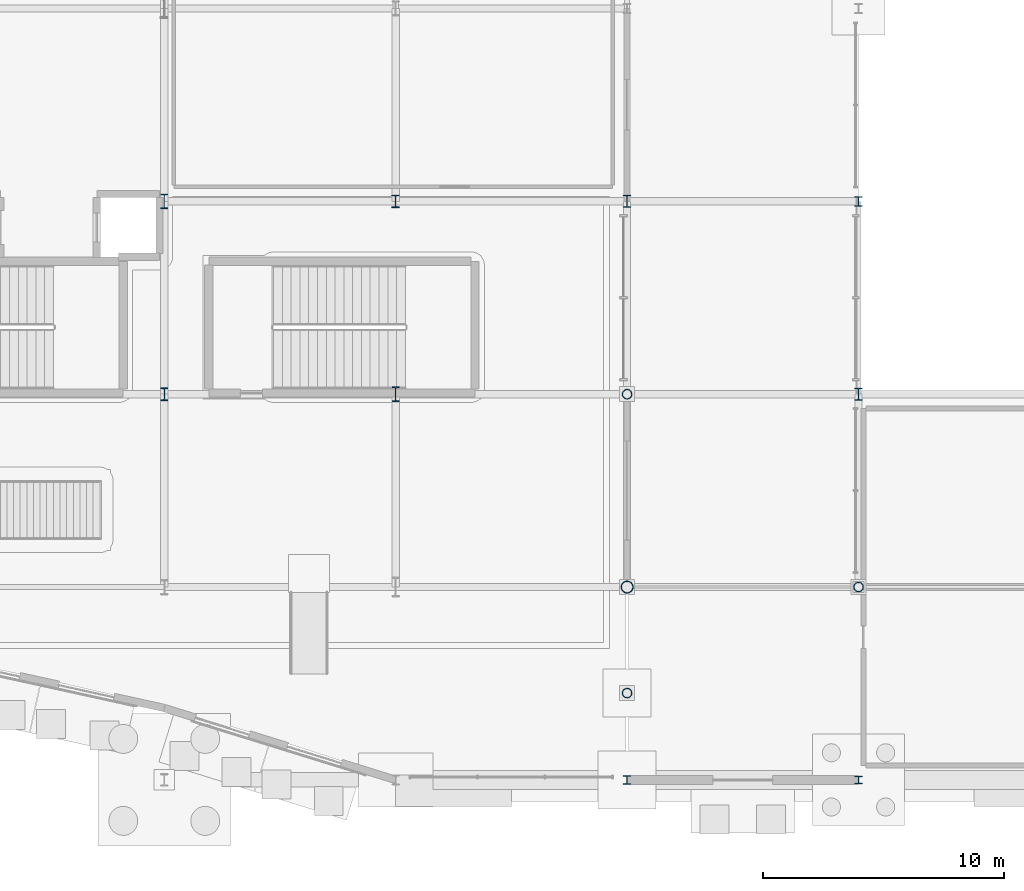
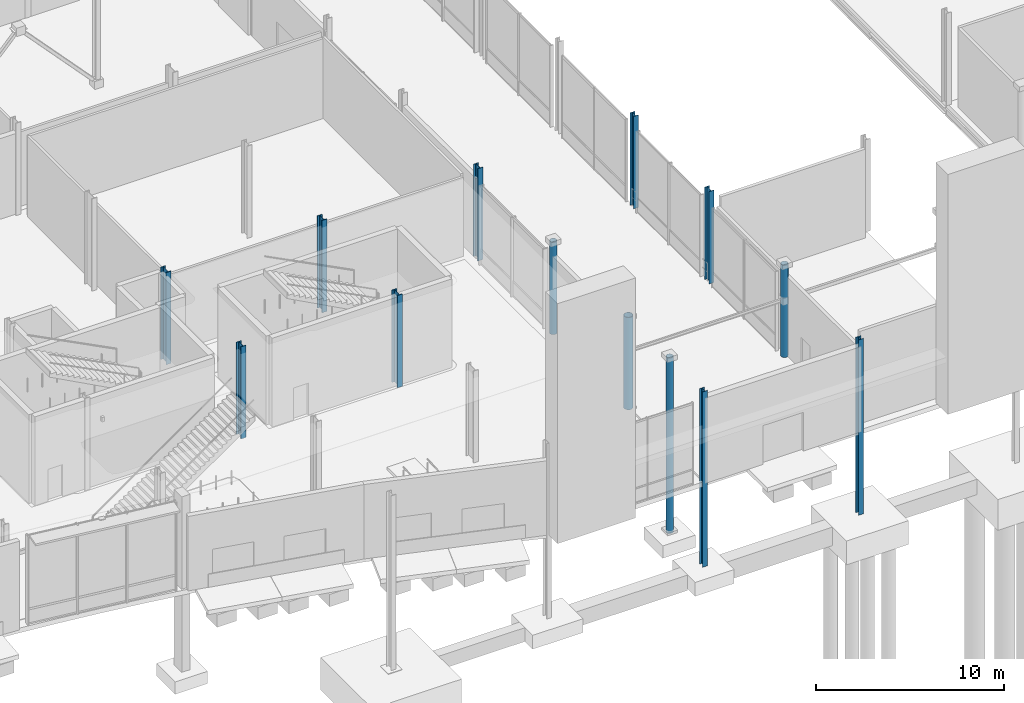
# One storey, part 11 of 124: 13 columns.
"""IFC4 building model written with IfcOpenShell, lengths in metres."""

from ifc_helpers import new_model, si_unit, direction, frame, origin, origin_2d, place, context, subcontext, project, spatial, hollow_circle, i_section, extrude, material, material_profile, profile_set, type_object, element, save


model = new_model("IFC4")

# Units and contexts
model_context = context("Model", 3, precision=1e-05, world=origin(), true_north=direction((0.0, 1.0)))
body_context = subcontext(model_context, "Body", "Model", "MODEL_VIEW")
ifc_project = project(units=[si_unit("LENGTHUNIT", "METRE"), si_unit("AREAUNIT", "SQUARE_METRE"), si_unit("VOLUMEUNIT", "CUBIC_METRE"), si_unit("PLANEANGLEUNIT", "RADIAN"), si_unit("MASSUNIT", "GRAM", prefix="KILO")], contexts=[model_context])

# Site, building, storey
site_placement = place(None, origin())
site = spatial("IfcSite", under=ifc_project, at=site_placement, CompositionType="ELEMENT")
building_placement = place(site_placement, origin())
building = spatial("IfcBuilding", under=site, at=building_placement, Name="Danafjord Basin Convention Centre", CompositionType="ELEMENT")
storey_placement = place(building_placement, origin())
storey = spatial("IfcBuildingStorey", under=building, at=storey_placement, Name="L00", CompositionType="ELEMENT", Elevation=0.0)

# Columns
ifc_material = material(Name="Steel S355", Category="steel")
ifc_material_profile_1 = material_profile(ifc_material, hollow_circle(Radius=0.203125, WallThickness=0.02001953125, at=origin_2d()), Name="CHS 406.4x20.0")
ifc_profile_set_1 = profile_set([ifc_material_profile_1], Name="Steel S355")
column_type_1 = type_object("IfcColumnType", Name="COL-C-CHS406", PredefinedType="COLUMN", material=ifc_profile_set_1)
for number, where, z_axis, x_axis, name in (
    (1, (115.199951171875, 16.0, 0.0), (0.0, 0.0, 1.0), (1.0, 0.0, 0.0), "L00 column C-CHS406 at (115.2, 16.0)"),
    (2, (124.800048828125, 8.0, 0.0), (0.0, 0.0, 1.0), (1.0, 0.0, 0.0), "L00 column C-CHS406 at (124.8, 8.0)"),
):
    element("IfcColumn", number, at=place(storey_placement, frame(where, z_axis=z_axis, x_axis=x_axis)), inside=storey, type_object=column_type_1, Name=name, PredefinedType="COLUMN", context=body_context, shape_type="SweptSolid", body=[
        extrude(hollow_circle(Radius=0.203125, WallThickness=0.02001953125, at=origin_2d()), origin(), (0.0, 0.0, 1.0), 6.0),
    ])
column_1_placement = place(storey_placement, frame((115.199951171875, 3.60009765625, -5.39990234375), z_axis=(0.0, 0.0, 1.0), x_axis=(1.0, 0.0, 0.0)))
element("IfcColumn", 3, at=column_1_placement, inside=storey, type_object=column_type_1, Name="L00 column C-CHS406 at (115.2, 3.6)", PredefinedType="COLUMN", context=body_context, shape_type="SweptSolid", body=[
    extrude(hollow_circle(Radius=0.203125, WallThickness=0.02001953125, at=origin_2d()), origin(), (0.0, 0.0, 1.0), 11.39990234375),
])
ifc_material_profile_2 = material_profile(ifc_material, hollow_circle(Radius=0.25390625, WallThickness=0.02490234375, at=origin_2d()), Name="CHS 508.0x25.0")
ifc_profile_set_2 = profile_set([ifc_material_profile_2], Name="Steel S355")
column_type_2 = type_object("IfcColumnType", Name="COL-C-CHS508", PredefinedType="COLUMN", material=ifc_profile_set_2)
column_2_placement = place(storey_placement, frame((115.199951171875, 8.0, 0.0), z_axis=(0.0, 0.0, 1.0), x_axis=(1.0, 0.0, 0.0)))
element("IfcColumn", 4, at=column_2_placement, inside=storey, type_object=column_type_2, Name="L00 column C-CHS508 at (115.2, 8.0)", PredefinedType="COLUMN", context=body_context, shape_type="SweptSolid", body=[
    extrude(hollow_circle(Radius=0.25390625, WallThickness=0.02490234375, at=origin_2d()), origin(), (0.0, 0.0, 1.0), 6.0),
])
ifc_material_profile_3 = material_profile(ifc_material, i_section(OverallWidth=0.300048828125, OverallDepth=0.300048828125, WebThickness=0.010986328125, FlangeThickness=0.01904296875, FilletRadius=0.027099609375, at=origin_2d()), Name="HEB 300")
ifc_profile_set_3 = profile_set([ifc_material_profile_3], Name="Steel S355")
column_type_3 = type_object("IfcColumnType", Name="COL-C-HEB300", PredefinedType="COLUMN", material=ifc_profile_set_3)
column_3_placement = place(storey_placement, frame((124.800048828125, 0.0, -5.39990234375), z_axis=(0.0, 0.0, 1.0), x_axis=(1.0, 0.0, 0.0)))
element("IfcColumn", 5, at=column_3_placement, inside=storey, type_object=column_type_3, Name="L00 column C-HEB300 at (124.8, 0.0)", PredefinedType="COLUMN", context=body_context, shape_type="SweptSolid", body=[
    extrude(i_section(OverallWidth=0.300048828125, OverallDepth=0.300048828125, WebThickness=0.010986328125, FlangeThickness=0.01904296875, FilletRadius=0.027099609375, at=origin_2d()), origin(), (0.0, 0.0, 1.0), 11.39990234375),
])
ifc_material_profile_4 = material_profile(ifc_material, i_section(OverallWidth=0.300048828125, OverallDepth=0.360107421875, WebThickness=0.012451171875, FlangeThickness=0.0224609375, FilletRadius=0.027099609375, at=origin_2d()), Name="HEB 360")
ifc_profile_set_4 = profile_set([ifc_material_profile_4], Name="Steel S355")
column_type_4 = type_object("IfcColumnType", Name="COL-C-HEB360", PredefinedType="COLUMN", material=ifc_profile_set_4)
column_4_placement = place(storey_placement, frame((115.199951171875, 0.0, -5.39990234375), z_axis=(0.0, 0.0, 1.0), x_axis=(1.0, 0.0, 0.0)))
element("IfcColumn", 6, at=column_4_placement, inside=storey, type_object=column_type_4, Name="L00 column C-HEB360 at (115.2, 0.0)", PredefinedType="COLUMN", context=body_context, shape_type="SweptSolid", body=[
    extrude(i_section(OverallWidth=0.300048828125, OverallDepth=0.360107421875, WebThickness=0.012451171875, FlangeThickness=0.0224609375, FilletRadius=0.027099609375, at=origin_2d()), origin(), (0.0, 0.0, 1.0), 11.39990234375),
])
ifc_material_profile_5 = material_profile(ifc_material, i_section(OverallWidth=0.300048828125, OverallDepth=0.39990234375, WebThickness=0.013427734375, FlangeThickness=0.02392578125, FilletRadius=0.027099609375, at=origin_2d()), Name="HEB 400")
ifc_profile_set_5 = profile_set([ifc_material_profile_5], Name="Steel S355")
column_type_5 = type_object("IfcColumnType", Name="COL-C-HEB400", PredefinedType="COLUMN", material=ifc_profile_set_5)
column_5_placement = place(storey_placement, frame((124.800048828125, 24.0, 0.0), z_axis=(0.0, 0.0, 1.0), x_axis=(1.0, 0.0, 0.0)))
element("IfcColumn", 7, at=column_5_placement, inside=storey, type_object=column_type_5, Name="L00 column C-HEB400 at (124.8, 24.0)", PredefinedType="COLUMN", context=body_context, shape_type="SweptSolid", body=[
    extrude(i_section(OverallWidth=0.300048828125, OverallDepth=0.39990234375, WebThickness=0.013427734375, FlangeThickness=0.02392578125, FilletRadius=0.027099609375, at=origin_2d()), origin(), (0.0, 0.0, 1.0), 6.0),
])
ifc_material_profile_6 = material_profile(ifc_material, i_section(OverallWidth=0.300048828125, OverallDepth=0.5, WebThickness=0.014404296875, FlangeThickness=0.028076171875, FilletRadius=0.027099609375, at=origin_2d()), Name="HEB 500")
ifc_profile_set_6 = profile_set([ifc_material_profile_6], Name="Steel S355")
column_type_6 = type_object("IfcColumnType", Name="COL-C-HEB500", PredefinedType="COLUMN", material=ifc_profile_set_6)
for number, where, z_axis, x_axis, name in (
    (8, (115.199951171875, 24.0, 0.0), (0.0, 0.0, 1.0), (1.0, 0.0, 0.0), "L00 column C-HEB500 at (115.2, 24.0)"),
    (9, (124.800048828125, 16.0, 0.0), (0.0, 0.0, 1.0), (1.0, 0.0, 0.0), "L00 column C-HEB500 at (124.8, 16.0)"),
):
    element("IfcColumn", number, at=place(storey_placement, frame(where, z_axis=z_axis, x_axis=x_axis)), inside=storey, type_object=column_type_6, Name=name, PredefinedType="COLUMN", context=body_context, shape_type="SweptSolid", body=[
        extrude(i_section(OverallWidth=0.300048828125, OverallDepth=0.5, WebThickness=0.014404296875, FlangeThickness=0.028076171875, FilletRadius=0.027099609375, at=origin_2d()), origin(), (0.0, 0.0, 1.0), 6.0),
    ])
ifc_material_profile_7 = material_profile(ifc_material, i_section(OverallWidth=0.300048828125, OverallDepth=0.60009765625, WebThickness=0.015380859375, FlangeThickness=0.030029296875, FilletRadius=0.027099609375, at=origin_2d()), Name="HEB 600")
ifc_profile_set_7 = profile_set([ifc_material_profile_7], Name="Steel S355")
column_type_7 = type_object("IfcColumnType", Name="COL-C-HEB600", PredefinedType="COLUMN", material=ifc_profile_set_7)
column_6_placement = place(storey_placement, frame((96.0, 24.0, 0.0), z_axis=(0.0, 0.0, 1.0), x_axis=(1.0, 0.0, 0.0)))
element("IfcColumn", 10, at=column_6_placement, inside=storey, type_object=column_type_7, Name="L00 column C-HEB600 at (96.0, 24.0)", PredefinedType="COLUMN", context=body_context, shape_type="SweptSolid", body=[
    extrude(i_section(OverallWidth=0.300048828125, OverallDepth=0.60009765625, WebThickness=0.015380859375, FlangeThickness=0.030029296875, FilletRadius=0.027099609375, at=origin_2d()), origin(), (0.0, 0.0, 1.0), 6.0),
])
ifc_material_profile_8 = material_profile(ifc_material, i_section(OverallWidth=0.305908203125, OverallDepth=0.52392578125, WebThickness=0.02099609375, FlangeThickness=0.0400390625, FilletRadius=0.027099609375, at=origin_2d()), Name="HEM 500")
ifc_profile_set_8 = profile_set([ifc_material_profile_8], Name="Steel S355")
column_type_8 = type_object("IfcColumnType", Name="COL-C-HEM500", PredefinedType="COLUMN", material=ifc_profile_set_8)
for number, where, z_axis, x_axis, name in (
    (11, (96.0, 16.0, 0.0), (0.0, 0.0, 1.0), (1.0, 0.0, 0.0), "L00 column C-HEM500 at (96.0, 16.0)"),
    (12, (105.60009765625, 24.0, 0.0), (0.0, 0.0, 1.0), (1.0, 0.0, 0.0), "L00 column C-HEM500 at (105.6, 24.0)"),
):
    element("IfcColumn", number, at=place(storey_placement, frame(where, z_axis=z_axis, x_axis=x_axis)), inside=storey, type_object=column_type_8, Name=name, PredefinedType="COLUMN", context=body_context, shape_type="SweptSolid", body=[
        extrude(i_section(OverallWidth=0.305908203125, OverallDepth=0.52392578125, WebThickness=0.02099609375, FlangeThickness=0.0400390625, FilletRadius=0.027099609375, at=origin_2d()), origin(), (0.0, 0.0, 1.0), 6.0),
    ])
ifc_material_profile_9 = material_profile(ifc_material, i_section(OverallWidth=0.304931640625, OverallDepth=0.6201171875, WebThickness=0.02099609375, FlangeThickness=0.0400390625, FilletRadius=0.027099609375, at=origin_2d()), Name="HEM 600")
ifc_profile_set_9 = profile_set([ifc_material_profile_9], Name="Steel S355")
column_type_9 = type_object("IfcColumnType", Name="COL-C-HEM600", PredefinedType="COLUMN", material=ifc_profile_set_9)
column_7_placement = place(storey_placement, frame((105.60009765625, 16.0, 0.0), z_axis=(0.0, 0.0, 1.0), x_axis=(1.0, 0.0, 0.0)))
element("IfcColumn", 13, at=column_7_placement, inside=storey, type_object=column_type_9, Name="L00 column C-HEM600 at (105.6, 16.0)", PredefinedType="COLUMN", context=body_context, shape_type="SweptSolid", body=[
    extrude(i_section(OverallWidth=0.304931640625, OverallDepth=0.6201171875, WebThickness=0.02099609375, FlangeThickness=0.0400390625, FilletRadius=0.027099609375, at=origin_2d()), origin(), (0.0, 0.0, 1.0), 6.0),
])

save(model, "model.ifc")
